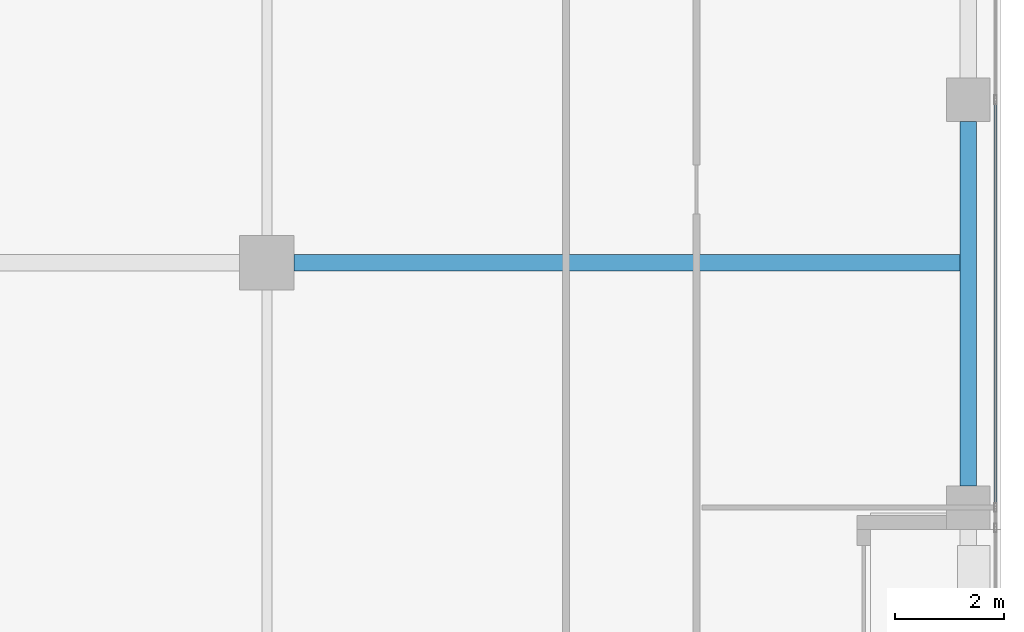
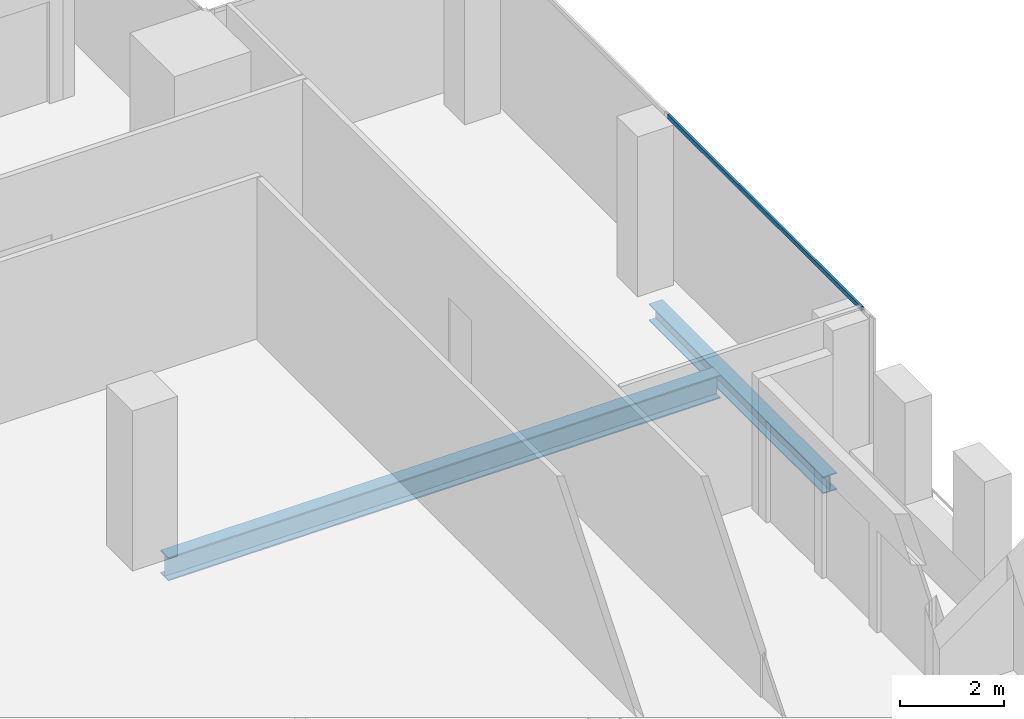
# One storey, part 12 of 29: 2 beams, 1 member, 1 element without a shape of its own.
"""IFC4 building model written with IfcOpenShell, lengths in metres."""

from ifc_helpers import new_model, si_unit, direction, frame, origin, origin_2d, place, context, subcontext, project, spatial, hollow_rectangle, i_section, extrude, source, transform, mapped, material, material_profile, profile_set, type_object, element, aggregate, save


model = new_model("IFC4")

# Units and contexts
model_context = context("Model", 3, precision=1e-05, world=origin(), true_north=direction((0.0, 1.0)))
body_context = subcontext(model_context, "Body", "Model", "MODEL_VIEW")
ifc_project = project(units=[si_unit("LENGTHUNIT", "METRE"), si_unit("AREAUNIT", "SQUARE_METRE"), si_unit("VOLUMEUNIT", "CUBIC_METRE"), si_unit("PLANEANGLEUNIT", "RADIAN"), si_unit("MASSUNIT", "GRAM", prefix="KILO")], contexts=[model_context])

# Site, building, storey
site_placement = place(None, origin())
site = spatial("IfcSite", under=ifc_project, at=site_placement, CompositionType="ELEMENT")
building_placement = place(site_placement, origin())
building = spatial("IfcBuilding", under=site, at=building_placement, Name="Khomas Fold Tower", CompositionType="ELEMENT")
storey_placement = place(building_placement, frame((0.0, 0.0, 322.199951171875)))
storey = spatial("IfcBuildingStorey", under=building, at=storey_placement, Name="L73", CompositionType="ELEMENT", Elevation=322.199951171875)

# Beams
ifc_material_1 = material(Name="Steel S355", Category="steel")
ifc_material_profile_1 = material_profile(ifc_material_1, i_section(OverallWidth=0.300048828125, OverallDepth=0.39990234375, WebThickness=0.013427734375, FlangeThickness=0.02392578125, at=origin_2d()), Name="HE 400 B")
ifc_profile_set_1 = profile_set([ifc_material_profile_1], Name="Steel S355")
beam_type_1 = type_object("IfcBeamType", Name="HE 400 B spandrel SB5", PredefinedType="SPANDREL", material=ifc_profile_set_1)
shared_shape_1 = source(origin(), body_context, "Body", "SweptSolid", [
    extrude(i_section(OverallWidth=0.300048828125, OverallDepth=0.39990234375, WebThickness=0.013427734375, FlangeThickness=0.02392578125, at=origin_2d()), origin(), (0.0, 0.0, 1.0), 6.7001953125),
])
beam_1_placement = place(storey_placement, frame((47.39990234375, 27.39990234375, -0.449951171875), z_axis=(0.0, 1.0, 0.0), x_axis=(-1.0, 0.0, 0.0)))
element("IfcBeam", 1, at=beam_1_placement, inside=storey, type_object=beam_type_1, Name="SB5", PredefinedType="SPANDREL", context=body_context, shape_type="MappedRepresentation", body=[
    mapped(shared_shape_1, transform((0.0, 0.0, 0.0))),
])
ifc_material_2 = material(Name="Steel S355", Category="steel")
ifc_material_profile_2 = material_profile(ifc_material_2, i_section(OverallWidth=0.300048828125, OverallDepth=0.550048828125, WebThickness=0.014892578125, FlangeThickness=0.029052734375, at=origin_2d()), Name="HE 550 B")
ifc_profile_set_2 = profile_set([ifc_material_profile_2], Name="Steel S355")
beam_type_2 = type_object("IfcBeamType", Name="HE 550 B beam GB4", PredefinedType="BEAM", material=ifc_profile_set_2)
shared_shape_2 = source(origin(), body_context, "Body", "SweptSolid", [
    extrude(i_section(OverallWidth=0.300048828125, OverallDepth=0.550048828125, WebThickness=0.014892578125, FlangeThickness=0.029052734375, at=origin_2d()), origin(), (0.0, 0.0, 1.0), 12.25),
])
beam_2_placement = place(storey_placement, frame((35.0, 31.5, -0.52490234375), z_axis=(1.0, 0.0, 0.0), x_axis=(0.0, 1.0, 0.0)))
element("IfcBeam", 2, at=beam_2_placement, inside=storey, type_object=beam_type_2, Name="GB4", PredefinedType="BEAM", context=body_context, shape_type="MappedRepresentation", body=[
    mapped(shared_shape_2, transform((0.0, 0.0, 0.0))),
])

# Curtain wall, member
ifc_material_3 = material(Name="Aluminium framed double glazing", Category="aluminium")
curtain_wall_type = type_object("IfcCurtainWallType", Name="SK-Unitised clear-glass wall, upper floors CW3", PredefinedType="NOTDEFINED", material=ifc_material_3)
curtain_wall_placement = place(storey_placement, origin())
curtain_wall = element("IfcCurtainWall", 3, at=curtain_wall_placement, inside=storey, type_object=curtain_wall_type, Name="CW3 run L73 03-1", PredefinedType="NOTDEFINED")
ifc_material_4 = material(Name="Aluminium", Category="aluminium")
ifc_material_profile_3 = material_profile(ifc_material_4, hollow_rectangle(XDim=0.050048828125, YDim=0.10009765625, WallThickness=0.00390625, at=origin_2d()), Name="SK-Unitised clear-glass wall, upper floors transom CW3-T")
ifc_profile_set_3 = profile_set([ifc_material_profile_3], Name="Aluminium")
member_type = type_object("IfcMemberType", Name="SK-Unitised clear-glass wall, upper floors transom CW3-T", PredefinedType="USERDEFINED", material=ifc_profile_set_3)
shared_shape_3 = source(origin(), body_context, "Body", "SweptSolid", [
    extrude(hollow_rectangle(XDim=0.050048828125, YDim=0.10009765625, WallThickness=0.00390625, at=origin_2d()), origin(), (0.0, 0.0, 1.0), 7.4501953125),
])
member_placement = place(storey_placement, frame((47.89990234375, 27.02490234375, 3.699951171875), z_axis=(0.0, 1.0, 0.0), x_axis=(-1.0, 0.0, 0.0)))
member = element("IfcMember", 4, at=member_placement, type_object=member_type, Name="CW3 transom 2", ObjectType="TRANSOM", PredefinedType="USERDEFINED", context=body_context, shape_type="MappedRepresentation", body=[
    mapped(shared_shape_3, transform((0.0, 0.0, 0.0))),
])
aggregate(curtain_wall, [member])

save(model, "model.ifc")
